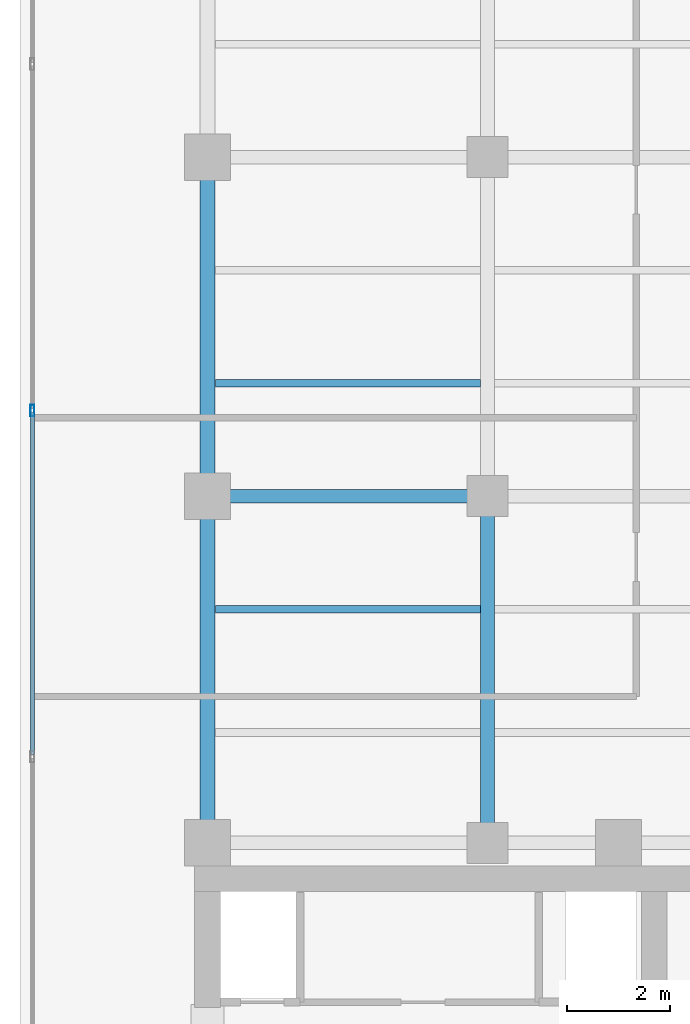
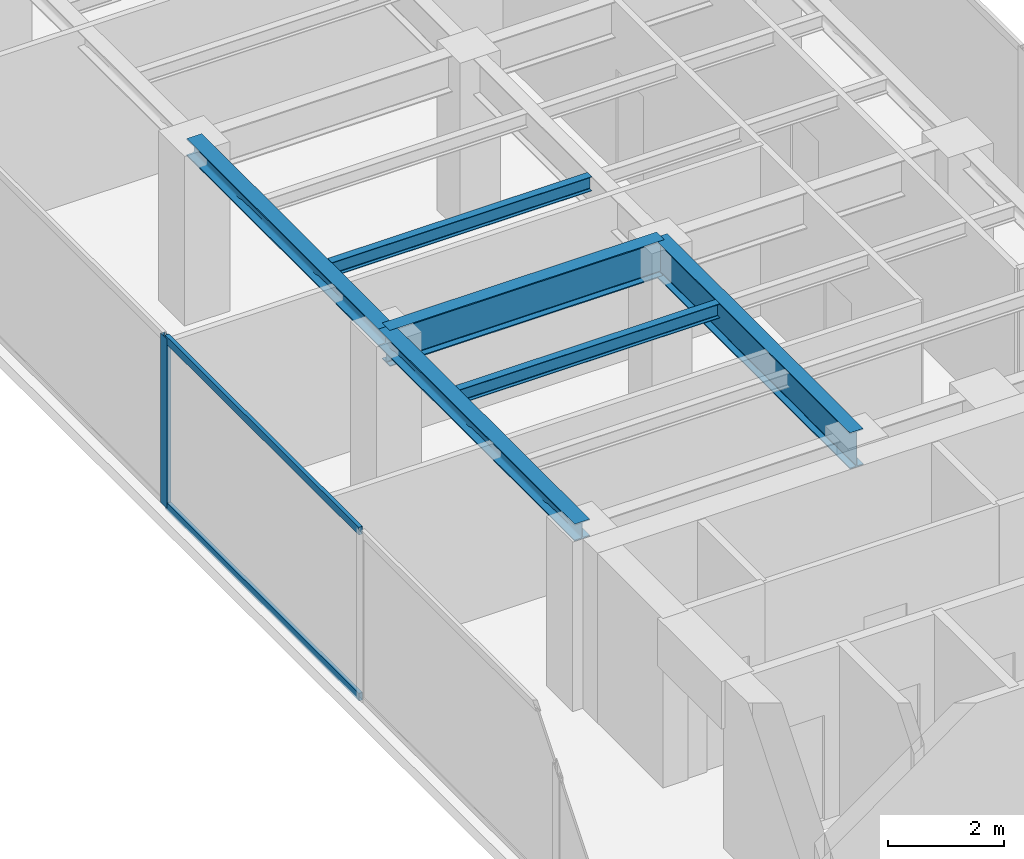
# One storey, part 8 of 22: 6 beams, 3 members, 1 element without a shape of its own.
"""IFC4 building model written with IfcOpenShell, lengths in metres."""

from ifc_helpers import new_model, si_unit, direction, frame, origin, origin_with_axes, origin_2d, place, context, subcontext, project, spatial, hollow_rectangle, i_section, extrude, source, transform, mapped, material, layer, layer_set, material_profile, profile_set, type_object, element, aggregate, save


model = new_model("IFC4")

# Units and contexts
model_context = context("Model", 3, precision=1e-05, world=origin(), true_north=direction((0.0, 1.0)))
body_context = subcontext(model_context, "Body", "Model", "MODEL_VIEW")
ifc_project = project(units=[si_unit("LENGTHUNIT", "METRE"), si_unit("AREAUNIT", "SQUARE_METRE"), si_unit("VOLUMEUNIT", "CUBIC_METRE"), si_unit("PLANEANGLEUNIT", "RADIAN"), si_unit("MASSUNIT", "GRAM", prefix="KILO")], contexts=[model_context])

# Site, building, storey
site_placement = place(None, origin())
site = spatial("IfcSite", under=ifc_project, at=site_placement, CompositionType="ELEMENT")
building_placement = place(site_placement, origin())
building = spatial("IfcBuilding", under=site, at=building_placement, Name="Kolvaren Waterfront Exchange", CompositionType="ELEMENT")
storey_placement = place(building_placement, frame((0.0, 0.0, 278.0)))
storey = spatial("IfcBuildingStorey", under=building, at=storey_placement, Name="L71", CompositionType="ELEMENT", Elevation=278.0)

# Beams
ifc_material_1 = material(Name="Steel S355", Category="steel")
ifc_material_profile_1 = material_profile(ifc_material_1, i_section(OverallWidth=0.300048828125, OverallDepth=0.360107421875, WebThickness=0.012451171875, FlangeThickness=0.0224609375, FilletRadius=0.027099609375, at=origin_2d()), Name="HEB360")
ifc_profile_set_1 = profile_set([ifc_material_profile_1], Name="Steel S355")
beam_type_1 = type_object("IfcBeamType", Name="STR-BM-HEB360", PredefinedType="SPANDREL", material=ifc_profile_set_1)
beam_1_placement = place(storey_placement, frame((7.449951171875, 24.449951171875, 3.3798828125), z_axis=(0.0, 1.0, 0.0), x_axis=(-1.0, 0.0, 0.0)))
element("IfcBeam", 1, at=beam_1_placement, inside=storey, type_object=beam_type_1, Name="L71 north-arm edge beam 1", PredefinedType="SPANDREL", context=body_context, shape_type="SweptSolid", body=[
    extrude(i_section(OverallWidth=0.300048828125, OverallDepth=0.360107421875, WebThickness=0.012451171875, FlangeThickness=0.0224609375, FilletRadius=0.027099609375, at=origin_2d()), origin(), (0.0, 0.0, 1.0), 6.75),
])
beam_2_placement = place(storey_placement, frame((7.449951171875, 31.199951171875, 3.3798828125), z_axis=(0.0, 1.0, 0.0), x_axis=(-1.0, 0.0, 0.0)))
element("IfcBeam", 2, at=beam_2_placement, inside=storey, type_object=beam_type_1, Name="L71 north-arm edge beam 2", PredefinedType="SPANDREL", context=body_context, shape_type="SweptSolid", body=[
    extrude(i_section(OverallWidth=0.300048828125, OverallDepth=0.360107421875, WebThickness=0.012451171875, FlangeThickness=0.0224609375, FilletRadius=0.027099609375, at=origin_2d()), origin(), (0.0, 0.0, 1.0), 6.60009765625),
])
ifc_material_profile_2 = material_profile(ifc_material_1, i_section(OverallWidth=0.14990234375, OverallDepth=0.300048828125, WebThickness=0.007080078125, FlangeThickness=0.0107421875, FilletRadius=0.014892578125, at=origin_2d()), Name="IPE300")
ifc_profile_set_2 = profile_set([ifc_material_profile_2], Name="Steel S355")
beam_type_2 = type_object("IfcBeamType", Name="STR-BM-IPE300", PredefinedType="JOIST", material=ifc_profile_set_2)
for number, where, z_axis, x_axis, name in (
    (3, (7.60205078125, 29.0, 3.409912109375), (1.0, 0.0, 0.0), (0.0, 1.0, 0.0), "L71 north-arm composite joist 2A"),
    (4, (7.60205078125, 33.39990234375, 3.409912109375), (1.0, 0.0, 0.0), (0.0, 1.0, 0.0), "L71 north-arm composite joist 3A"),
):
    element("IfcBeam", number, at=place(storey_placement, frame(where, z_axis=z_axis, x_axis=x_axis)), inside=storey, type_object=beam_type_2, Name=name, PredefinedType="JOIST", context=body_context, shape_type="SweptSolid", body=[
        extrude(i_section(OverallWidth=0.14990234375, OverallDepth=0.300048828125, WebThickness=0.007080078125, FlangeThickness=0.0107421875, FilletRadius=0.014892578125, at=origin_2d()), origin(), (0.0, 0.0, 1.0), 5.162353515625),
    ])
ifc_material_profile_3 = material_profile(ifc_material_1, i_section(OverallWidth=0.26708984375, OverallDepth=0.761962890625, WebThickness=0.014404296875, FlangeThickness=0.021484375, FilletRadius=0.01708984375, at=origin_2d()), Name="IPE750x173")
ifc_profile_set_3 = profile_set([ifc_material_profile_3], Name="Steel S355")
beam_type_3 = type_object("IfcBeamType", Name="STR-BM-IPE750", PredefinedType="BEAM", material=ifc_profile_set_3)
beam_3_placement = place(storey_placement, frame((7.449951171875, 31.199951171875, 3.178955078125), z_axis=(1.0, 0.0, 0.0), x_axis=(0.0, 1.0, 0.0)))
element("IfcBeam", 5, at=beam_3_placement, inside=storey, type_object=beam_type_3, Name="L71 north-arm girder 2A", PredefinedType="BEAM", context=body_context, shape_type="SweptSolid", body=[
    extrude(i_section(OverallWidth=0.26708984375, OverallDepth=0.761962890625, WebThickness=0.014404296875, FlangeThickness=0.021484375, FilletRadius=0.01708984375, at=origin_2d()), origin(), (0.0, 0.0, 1.0), 5.449951171875),
])
beam_4_placement = place(storey_placement, frame((12.89990234375, 24.449951171875, 3.178955078125), z_axis=(0.0, 1.0, 0.0), x_axis=(-1.0, 0.0, 0.0)))
element("IfcBeam", 6, at=beam_4_placement, inside=storey, type_object=beam_type_3, Name="L71 north-arm edge beam 1", PredefinedType="BEAM", context=body_context, shape_type="SweptSolid", body=[
    extrude(i_section(OverallWidth=0.26708984375, OverallDepth=0.761962890625, WebThickness=0.014404296875, FlangeThickness=0.021484375, FilletRadius=0.01708984375, at=origin_2d()), origin(), (0.0, 0.0, 1.0), 6.75),
])

# Curtain wall, members
ifc_material_2 = material(Name="Anodised aluminium 6063-T6", Category="aluminium")
ifc_layer = layer(ifc_material_2, 0.219970703125, Name="Anodised aluminium 6063-T6")
ifc_layer_set = layer_set([ifc_layer], Name="Anodised aluminium 6063-T6")
curtain_wall_type = type_object("IfcCurtainWallType", Name="ARC-CW-SYS2", PredefinedType="USERDEFINED", material=ifc_layer_set)
curtain_wall_placement = place(storey_placement, origin())
curtain_wall = element("IfcCurtainWall", 7, at=curtain_wall_placement, inside=storey, type_object=curtain_wall_type, Name="L71 stick curtain wall CW2 (CW-L71-W)", ObjectType="STICK CURTAIN WALL", PredefinedType="USERDEFINED")
ifc_material_profile_4 = material_profile(ifc_material_2, hollow_rectangle(XDim=0.080078125, YDim=0.219970703125, WallThickness=0.0048828125, at=origin_2d()), Name="ALU-MUL-220x80x5")
ifc_profile_set_4 = profile_set([ifc_material_profile_4], Name="Anodised aluminium 6063-T6")
member_type_1 = type_object("IfcMemberType", Name="ARC-CWM-220", PredefinedType="MULLION", material=ifc_profile_set_4)
shared_shape_1 = source(origin_with_axes(), body_context, "Body", "SweptSolid", [
    extrude(hollow_rectangle(XDim=0.080078125, YDim=0.219970703125, WallThickness=0.0048828125, at=origin_2d()), origin(), (0.0, 0.0, 1.0), 3.56005859375),
])
member_1_placement = place(storey_placement, frame((4.0400390625, 32.868408203125, 0.0), z_axis=(0.0, 0.0, 1.0), x_axis=(-1.0, 0.0, 0.0)))
member_1 = element("IfcMember", 8, at=member_1_placement, type_object=member_type_1, Name="CW2 mullion 5", PredefinedType="MULLION", context=body_context, shape_type="MappedRepresentation", body=[
    mapped(shared_shape_1, transform((0.0, 0.0, 0.0), x_axis=(1.0, 0.0, 0.0), y_axis=(0.0, 1.0, 0.0), z_axis=(0.0, 0.0, 1.0), scale=1.0)),
])
ifc_material_profile_5 = material_profile(ifc_material_2, hollow_rectangle(XDim=0.074951171875, YDim=0.159912109375, WallThickness=0.00439453125, at=origin_2d()), Name="ALU-TRN-160x75x4.5")
ifc_profile_set_5 = profile_set([ifc_material_profile_5], Name="Anodised aluminium 6063-T6")
member_type_2 = type_object("IfcMemberType", Name="ARC-CWT-160", PredefinedType="USERDEFINED", material=ifc_profile_set_5)
shared_shape_2 = source(origin_with_axes(), body_context, "Body", "SweptSolid", [
    extrude(hollow_rectangle(XDim=0.074951171875, YDim=0.159912109375, WallThickness=0.00439453125, at=origin_2d()), origin(), (0.0, 0.0, 1.0), 6.662109375),
])
member_2_placement = place(storey_placement, frame((4.0400390625, 26.166259765625, 0.03759765625), z_axis=(0.0, 1.0, 0.0), x_axis=(-1.0, 0.0, 0.0)))
member_2 = element("IfcMember", 9, at=member_2_placement, type_object=member_type_2, Name="CW2 transom 4.1", ObjectType="TRANSOM", PredefinedType="USERDEFINED", context=body_context, shape_type="MappedRepresentation", body=[
    mapped(shared_shape_2, transform((0.0, 0.0, 0.0), x_axis=(1.0, 0.0, 0.0), y_axis=(0.0, 1.0, 0.0), z_axis=(0.0, 0.0, 1.0), scale=1.0)),
])
member_3_placement = place(storey_placement, frame((4.0400390625, 26.166259765625, 3.5224609375), z_axis=(0.0, 1.0, 0.0), x_axis=(-1.0, 0.0, 0.0)))
member_3 = element("IfcMember", 10, at=member_3_placement, type_object=member_type_2, Name="CW2 transom 4.2", ObjectType="TRANSOM", PredefinedType="USERDEFINED", context=body_context, shape_type="MappedRepresentation", body=[
    mapped(shared_shape_2, transform((0.0, 0.0, 0.0), x_axis=(1.0, 0.0, 0.0), y_axis=(0.0, 1.0, 0.0), z_axis=(0.0, 0.0, 1.0), scale=1.0)),
])
aggregate(curtain_wall, [member_1, member_2, member_3])

save(model, "model.ifc")
